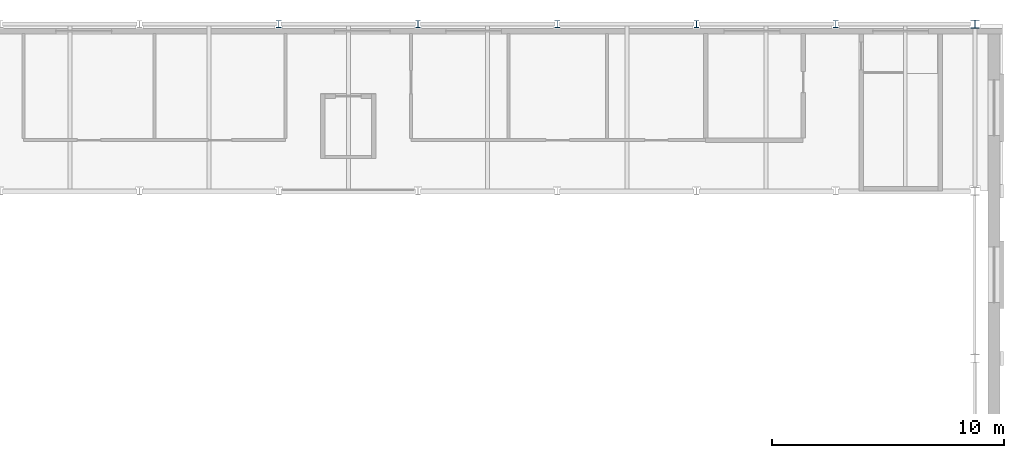
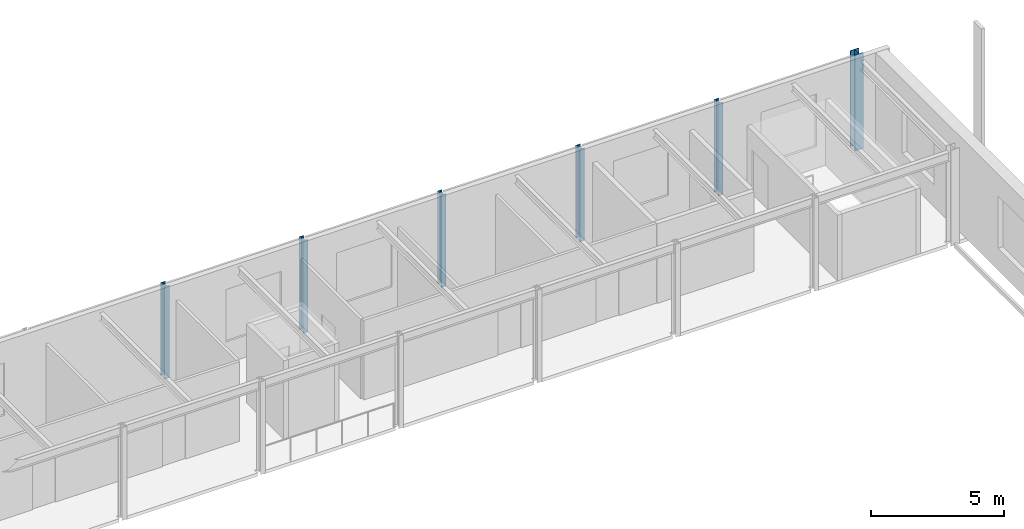
# One storey, part 19 of 169: 6 columns.
"""IFC4 building model written with IfcOpenShell, lengths in metres."""

from ifc_helpers import new_model, si_unit, direction, frame, origin, origin_2d, place, context, subcontext, project, spatial, i_section, extrude, material, material_profile, profile_set, type_object, element, save


model = new_model("IFC4")

# Units and contexts
model_context = context("Model", 3, precision=1e-05, world=origin(), true_north=direction((0.0, 1.0)))
body_context = subcontext(model_context, "Body", "Model", "MODEL_VIEW")
ifc_project = project(units=[si_unit("LENGTHUNIT", "METRE"), si_unit("AREAUNIT", "SQUARE_METRE"), si_unit("VOLUMEUNIT", "CUBIC_METRE"), si_unit("PLANEANGLEUNIT", "RADIAN"), si_unit("MASSUNIT", "GRAM", prefix="KILO")], contexts=[model_context])

# Site, building, storey
site_placement = place(None, origin())
site = spatial("IfcSite", under=ifc_project, at=site_placement, CompositionType="ELEMENT")
building_placement = place(site_placement, origin())
building = spatial("IfcBuilding", under=site, at=building_placement, Name="Verrick Yard Athletic Hall", CompositionType="ELEMENT")
storey_placement = place(building_placement, frame((0.0, 0.0, 4.39990234375)))
storey = spatial("IfcBuildingStorey", under=building, at=storey_placement, Name="L01", CompositionType="ELEMENT", Elevation=4.39990234375)

# Columns
ifc_material = material(Name="Structural steel 350W (CSA G40.21)", Category="steel")
ifc_material_profile_1 = material_profile(ifc_material, i_section(OverallWidth=0.205078125, OverallDepth=0.31005859375, WebThickness=0.009521484375, FlangeThickness=0.016357421875, at=origin_2d()), Name="W310x74")
ifc_profile_set_1 = profile_set([ifc_material_profile_1], Name="Structural steel 350W (CSA G40.21)")
column_type_1 = type_object("IfcColumnType", Name="HB column W310x74", PredefinedType="COLUMN", material=ifc_profile_set_1)
for number, where, z_axis, x_axis, name in (
    (1, (139.60009765625, 108.0, 0.0), (0.0, 0.0, 1.0), (1.0, 0.0, 0.0), "HB-C-A-B3N-L01"),
    (2, (145.60009765625, 108.0, 0.0), (0.0, 0.0, 1.0), (1.0, 0.0, 0.0), "HB-C-A-B4N-L01"),
    (3, (151.60009765625, 108.0, 0.0), (0.0, 0.0, 1.0), (1.0, 0.0, 0.0), "HB-C-A-B5N-L01"),
    (4, (157.60009765625, 108.0, 0.0), (0.0, 0.0, 1.0), (1.0, 0.0, 0.0), "HB-C-A-B6N-L01"),
    (5, (163.60009765625, 108.0, 0.0), (0.0, 0.0, 1.0), (1.0, 0.0, 0.0), "HB-C-A-B7N-L01"),
):
    element("IfcColumn", number, at=place(storey_placement, frame(where, z_axis=z_axis, x_axis=x_axis)), inside=storey, type_object=column_type_1, Name=name, PredefinedType="COLUMN", context=body_context, shape_type="SweptSolid", body=[
        extrude(i_section(OverallWidth=0.205078125, OverallDepth=0.31005859375, WebThickness=0.009521484375, FlangeThickness=0.016357421875, at=origin_2d()), origin(), (0.0, 0.0, 1.0), 4.25),
    ])
ifc_material_profile_2 = material_profile(ifc_material, i_section(OverallWidth=0.368896484375, OverallDepth=0.35595703125, WebThickness=0.01123046875, FlangeThickness=0.01806640625, at=origin_2d()), Name="W360x134")
ifc_profile_set_2 = profile_set([ifc_material_profile_2], Name="Structural steel 350W (CSA G40.21)")
column_type_2 = type_object("IfcColumnType", Name="HB column W360x134", PredefinedType="COLUMN", material=ifc_profile_set_2)
column_placement = place(storey_placement, frame((169.60009765625, 108.0, 0.0), z_axis=(0.0, 0.0, 1.0), x_axis=(1.0, 0.0, 0.0)))
element("IfcColumn", 6, at=column_placement, inside=storey, type_object=column_type_2, Name="HB-C-HAE6-L01", PredefinedType="COLUMN", context=body_context, shape_type="SweptSolid", body=[
    extrude(i_section(OverallWidth=0.368896484375, OverallDepth=0.35595703125, WebThickness=0.01123046875, FlangeThickness=0.01806640625, at=origin_2d()), origin(), (0.0, 0.0, 1.0), 4.400146484375),
])

save(model, "model.ifc")
